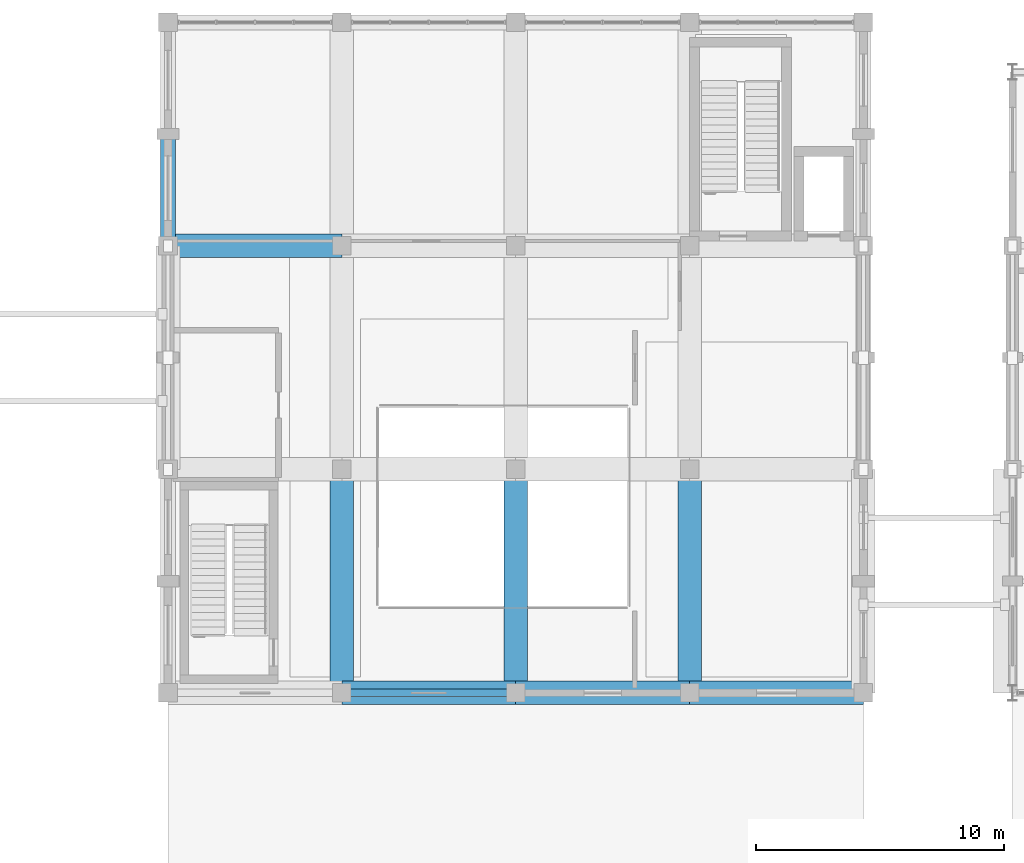
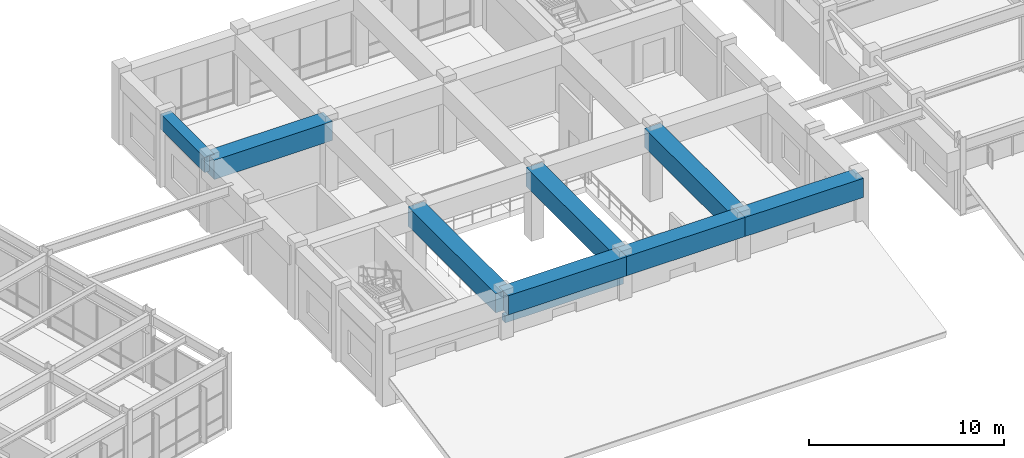
# One storey, part 53 of 104: 9 beams.
"""IFC4 building model written with IfcOpenShell, lengths in metres."""

from ifc_helpers import new_model, si_unit, direction, frame, origin, origin_2d, place, context, subcontext, project, spatial, rectangle, extrude, material, material_profile, profile_set, type_object, element, save


model = new_model("IFC4")

# Units and contexts
model_context = context("Model", 3, precision=1e-05, world=origin(), true_north=direction((0.0, 1.0)))
body_context = subcontext(model_context, "Body", "Model", "MODEL_VIEW")
ifc_project = project(units=[si_unit("LENGTHUNIT", "METRE"), si_unit("AREAUNIT", "SQUARE_METRE"), si_unit("VOLUMEUNIT", "CUBIC_METRE"), si_unit("PLANEANGLEUNIT", "RADIAN"), si_unit("MASSUNIT", "GRAM", prefix="KILO")], contexts=[model_context])

# Site, building, storey
site_placement = place(None, origin())
site = spatial("IfcSite", under=ifc_project, at=site_placement, CompositionType="ELEMENT")
building_placement = place(site_placement, origin())
building = spatial("IfcBuilding", under=site, at=building_placement, Name="Ventoquebrada Cableway Terminal", CompositionType="ELEMENT")
storey_placement = place(building_placement, frame((0.0, 0.0, 4.800048828125)))
storey = spatial("IfcBuildingStorey", under=building, at=storey_placement, Name="L01", CompositionType="ELEMENT", Elevation=4.800048828125)

# Beams
ifc_material = material(Name="Concrete C40/50", Category="concrete")
ifc_material_profile_1 = material_profile(ifc_material, rectangle(XDim=0.60009765625, YDim=0.949951171875, at=origin_2d()), Name="RC-BM-600X950")
ifc_profile_set_1 = profile_set([ifc_material_profile_1], Name="Concrete C40/50")
beam_type_1 = type_object("IfcBeamType", Name="BM-RC05", PredefinedType="BEAM", material=ifc_profile_set_1)
beam_1_placement = place(storey_placement, frame((95.0, 95.0, 3.974853515625), z_axis=(0.0, 1.0, 0.0), x_axis=(-1.0, 0.0, 0.0)))
element("IfcBeam", 1, at=beam_1_placement, inside=storey, type_object=beam_type_1, Name="Perimeter spandrel beam FBM-0647", PredefinedType="BEAM", context=body_context, shape_type="SweptSolid", body=[
    extrude(rectangle(XDim=0.60009765625, YDim=0.949951171875, at=origin_2d()), origin(), (0.0, 0.0, 1.0), 4.5),
])
ifc_material_profile_2 = material_profile(ifc_material, rectangle(XDim=0.949951171875, YDim=1.199951171875, at=origin_2d()), Name="RC-BM-950X1200")
ifc_profile_set_2 = profile_set([ifc_material_profile_2], Name="Concrete C40/50")
beam_type_2 = type_object("IfcBeamType", Name="BM-RC06", PredefinedType="BEAM", material=ifc_profile_set_2)
for number, where, z_axis, x_axis, name in (
    (2, (102.0, 77.0, 3.849853515625), (1.0, 0.0, 0.0), (0.0, 1.0, 0.0), "Primary frame girder FBM-0628"),
    (3, (109.0, 77.0, 3.849853515625), (1.0, 0.0, 0.0), (0.0, 1.0, 0.0), "Primary frame girder FBM-0629"),
    (4, (116.0, 77.0, 3.849853515625), (1.0, 0.0, 0.0), (0.0, 1.0, 0.0), "Primary frame girder FBM-0630"),
    (5, (95.0, 95.0, 3.849853515625), (1.0, 0.0, 0.0), (0.0, 1.0, 0.0), "Primary frame girder FBM-0635"),
):
    element("IfcBeam", number, at=place(storey_placement, frame(where, z_axis=z_axis, x_axis=x_axis)), inside=storey, type_object=beam_type_2, Name=name, PredefinedType="BEAM", context=body_context, shape_type="SweptSolid", body=[
        extrude(rectangle(XDim=0.949951171875, YDim=1.199951171875, at=origin_2d()), origin(), (0.0, 0.0, 1.0), 7.0),
    ])
for number, where, z_axis, x_axis, name in (
    (6, (102.0, 77.0, 3.849853515625), (0.0, 1.0, 0.0), (-1.0, 0.0, 0.0), "Primary frame girder FBM-0649"),
    (7, (109.0, 77.0, 3.849853515625), (0.0, 1.0, 0.0), (-1.0, 0.0, 0.0), "Primary frame girder FBM-0652"),
    (8, (116.0, 77.0, 3.849853515625), (0.0, 1.0, 0.0), (-1.0, 0.0, 0.0), "Primary frame girder FBM-0655"),
):
    element("IfcBeam", number, at=place(storey_placement, frame(where, z_axis=z_axis, x_axis=x_axis)), inside=storey, type_object=beam_type_2, Name=name, PredefinedType="BEAM", context=body_context, shape_type="SweptSolid", body=[
        extrude(rectangle(XDim=0.949951171875, YDim=1.199951171875, at=origin_2d()), origin(), (0.0, 0.0, 1.0), 9.0),
    ])
ifc_material_profile_3 = material_profile(ifc_material, rectangle(XDim=0.300048828125, YDim=0.449951171875, at=origin_2d()), Name="RC-LNT-300X450")
ifc_profile_set_3 = profile_set([ifc_material_profile_3], Name="Concrete C40/50")
beam_type_3 = type_object("IfcBeamType", Name="LN-RC01", PredefinedType="LINTEL", material=ifc_profile_set_3)
beam_2_placement = place(storey_placement, frame((102.0, 77.0, 2.77490234375), z_axis=(1.0, 0.0, 0.0), x_axis=(0.0, 1.0, 0.0)))
element("IfcBeam", 9, at=beam_2_placement, inside=storey, type_object=beam_type_3, Name="Portal opening lintel beam LN-012", PredefinedType="LINTEL", context=body_context, shape_type="SweptSolid", body=[
    extrude(rectangle(XDim=0.300048828125, YDim=0.449951171875, at=origin_2d()), origin(), (0.0, 0.0, 1.0), 7.0),
])

save(model, "model.ifc")
